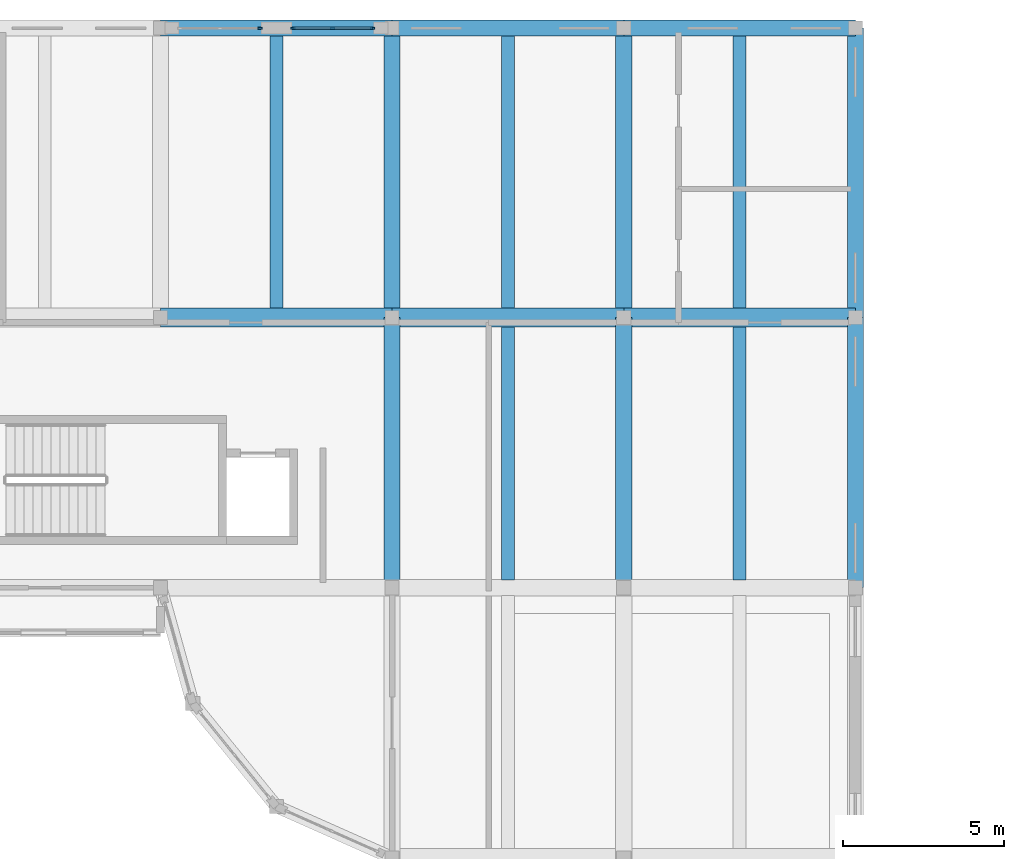
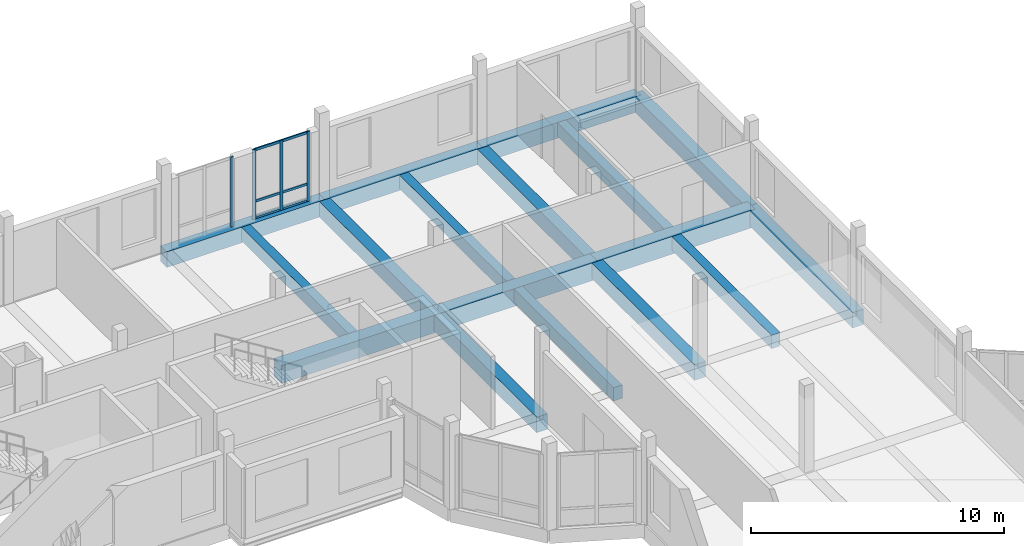
# One storey, part 40 of 99: 17 beams, 7 members, 2 elements without a shape of their own.
"""IFC4 building model written with IfcOpenShell, lengths in metres."""

from ifc_helpers import new_model, si_unit, direction, frame, origin, origin_2d, place, context, subcontext, project, spatial, rectangle, extrude, material, material_profile, profile_set, type_object, element, aggregate, save


model = new_model("IFC4")

# Units and contexts
model_context = context("Model", 3, precision=1e-05, world=origin(), true_north=direction((0.0, 1.0)))
body_context = subcontext(model_context, "Body", "Model", "MODEL_VIEW")
ifc_project = project(units=[si_unit("LENGTHUNIT", "METRE"), si_unit("AREAUNIT", "SQUARE_METRE"), si_unit("VOLUMEUNIT", "CUBIC_METRE"), si_unit("PLANEANGLEUNIT", "RADIAN"), si_unit("MASSUNIT", "GRAM", prefix="KILO")], contexts=[model_context])

# Site, building, storey
site_placement = place(None, origin())
site = spatial("IfcSite", under=ifc_project, at=site_placement, CompositionType="ELEMENT")
building_placement = place(site_placement, origin())
building = spatial("IfcBuilding", under=site, at=building_placement, Name="Kahlenmark Community Centre", CompositionType="ELEMENT")
storey_placement = place(building_placement, frame((0.0, 0.0, 5.39990234375)))
storey = spatial("IfcBuildingStorey", under=building, at=storey_placement, Name="L01", CompositionType="ELEMENT", Elevation=5.39990234375)

# Beams
ifc_material_1 = material(Name="Concrete C35/45", Category="concrete")
ifc_material_profile_1 = material_profile(ifc_material_1, rectangle(XDim=0.5, YDim=0.75, at=origin_2d()), Name="RC 500x750")
ifc_profile_set_1 = profile_set([ifc_material_profile_1], Name="Concrete C35/45")
beam_type_1 = type_object("IfcBeamType", Name="BT-BEAM-RC500x750", PredefinedType="BEAM", material=ifc_profile_set_1)
beam_1_placement = place(storey_placement, frame((72.39990234375, 97.60009765625, -0.375), z_axis=(0.0, 1.0, 0.0), x_axis=(-1.0, 0.0, 0.0)))
element("IfcBeam", 1, at=beam_1_placement, inside=storey, type_object=beam_type_1, Name="L01 beam BG-RC500x750", PredefinedType="BEAM", context=body_context, shape_type="SweptSolid", body=[
    extrude(rectangle(XDim=0.5, YDim=0.75, at=origin_2d()), origin(), (0.0, 0.0, 1.0), 8.39990234375),
])
beam_2_placement = place(storey_placement, frame((72.39990234375, 106.0, -0.375), z_axis=(0.0, 1.0, 0.0), x_axis=(-1.0, 0.0, 0.0)))
element("IfcBeam", 2, at=beam_2_placement, inside=storey, type_object=beam_type_1, Name="L01 beam BG-RC500x750", PredefinedType="BEAM", context=body_context, shape_type="SweptSolid", body=[
    extrude(rectangle(XDim=0.5, YDim=0.75, at=origin_2d()), origin(), (0.0, 0.0, 1.0), 9.0),
])
beam_3_placement = place(storey_placement, frame((79.60009765625, 97.60009765625, -0.375), z_axis=(0.0, 1.0, 0.0), x_axis=(-1.0, 0.0, 0.0)))
element("IfcBeam", 3, at=beam_3_placement, inside=storey, type_object=beam_type_1, Name="L01 beam BG-RC500x750", PredefinedType="BEAM", context=body_context, shape_type="SweptSolid", body=[
    extrude(rectangle(XDim=0.5, YDim=0.75, at=origin_2d()), origin(), (0.0, 0.0, 1.0), 8.39990234375),
])
beam_4_placement = place(storey_placement, frame((79.60009765625, 106.0, -0.375), z_axis=(0.0, 1.0, 0.0), x_axis=(-1.0, 0.0, 0.0)))
element("IfcBeam", 4, at=beam_4_placement, inside=storey, type_object=beam_type_1, Name="L01 beam BG-RC500x750", PredefinedType="BEAM", context=body_context, shape_type="SweptSolid", body=[
    extrude(rectangle(XDim=0.5, YDim=0.75, at=origin_2d()), origin(), (0.0, 0.0, 1.0), 9.0),
])
ifc_material_profile_2 = material_profile(ifc_material_1, rectangle(XDim=0.60009765625, YDim=0.85009765625, at=origin_2d()), Name="RC 600x850")
ifc_profile_set_2 = profile_set([ifc_material_profile_2], Name="Concrete C35/45")
beam_type_2 = type_object("IfcBeamType", Name="BT-BEAM-RC600x850", PredefinedType="BEAM", material=ifc_profile_set_2)
beam_5_placement = place(storey_placement, frame((65.199951171875, 106.0, -0.4248046875), z_axis=(1.0, 0.0, 0.0), x_axis=(0.0, 1.0, 0.0)))
element("IfcBeam", 5, at=beam_5_placement, inside=storey, type_object=beam_type_2, Name="L01 beam BG-RC600x850", PredefinedType="BEAM", context=body_context, shape_type="SweptSolid", body=[
    extrude(rectangle(XDim=0.60009765625, YDim=0.85009765625, at=origin_2d()), origin(), (0.0, 0.0, 1.0), 7.199951171875),
])
beam_6_placement = place(storey_placement, frame((72.39990234375, 106.0, -0.4248046875), z_axis=(1.0, 0.0, 0.0), x_axis=(0.0, 1.0, 0.0)))
element("IfcBeam", 6, at=beam_6_placement, inside=storey, type_object=beam_type_2, Name="L01 beam BG-RC600x850", PredefinedType="BEAM", context=body_context, shape_type="SweptSolid", body=[
    extrude(rectangle(XDim=0.60009765625, YDim=0.85009765625, at=origin_2d()), origin(), (0.0, 0.0, 1.0), 7.2001953125),
])
beam_7_placement = place(storey_placement, frame((79.60009765625, 106.0, -0.4248046875), z_axis=(1.0, 0.0, 0.0), x_axis=(0.0, 1.0, 0.0)))
element("IfcBeam", 7, at=beam_7_placement, inside=storey, type_object=beam_type_2, Name="L01 beam BG-RC600x850", PredefinedType="BEAM", context=body_context, shape_type="SweptSolid", body=[
    extrude(rectangle(XDim=0.60009765625, YDim=0.85009765625, at=origin_2d()), origin(), (0.0, 0.0, 1.0), 7.199951171875),
])
ifc_material_profile_3 = material_profile(ifc_material_1, rectangle(XDim=0.39990234375, YDim=0.64990234375, at=origin_2d()), Name="RC 400x650")
ifc_profile_set_3 = profile_set([ifc_material_profile_3], Name="Concrete C35/45")
beam_type_3 = type_object("IfcBeamType", Name="BT-JOIST-RC400x650", PredefinedType="JOIST", material=ifc_profile_set_3)
beam_8_placement = place(storey_placement, frame((68.800048828125, 106.298095703125, -0.324951171875), z_axis=(0.0, 1.0, 0.0), x_axis=(-1.0, 0.0, 0.0)))
element("IfcBeam", 8, at=beam_8_placement, inside=storey, type_object=beam_type_3, Name="L01 joist BJ-RC400x650", PredefinedType="JOIST", context=body_context, shape_type="SweptSolid", body=[
    extrude(rectangle(XDim=0.39990234375, YDim=0.64990234375, at=origin_2d()), origin(), (0.0, 0.0, 1.0), 8.453857421875),
])
beam_9_placement = place(storey_placement, frame((76.0, 97.847900390625, -0.324951171875), z_axis=(0.0, 1.0, 0.0), x_axis=(-1.0, 0.0, 0.0)))
element("IfcBeam", 9, at=beam_9_placement, inside=storey, type_object=beam_type_3, Name="L01 joist BJ-RC400x650", PredefinedType="JOIST", context=body_context, shape_type="SweptSolid", body=[
    extrude(rectangle(XDim=0.39990234375, YDim=0.64990234375, at=origin_2d()), origin(), (0.0, 0.0, 1.0), 7.85400390625),
])
beam_10_placement = place(storey_placement, frame((76.0, 106.298095703125, -0.324951171875), z_axis=(0.0, 1.0, 0.0), x_axis=(-1.0, 0.0, 0.0)))
element("IfcBeam", 10, at=beam_10_placement, inside=storey, type_object=beam_type_3, Name="L01 joist BJ-RC400x650", PredefinedType="JOIST", context=body_context, shape_type="SweptSolid", body=[
    extrude(rectangle(XDim=0.39990234375, YDim=0.64990234375, at=origin_2d()), origin(), (0.0, 0.0, 1.0), 8.453857421875),
])
beam_11_placement = place(storey_placement, frame((83.199951171875, 97.847900390625, -0.324951171875), z_axis=(0.0, 1.0, 0.0), x_axis=(-1.0, 0.0, 0.0)))
element("IfcBeam", 11, at=beam_11_placement, inside=storey, type_object=beam_type_3, Name="L01 joist BJ-RC400x650", PredefinedType="JOIST", context=body_context, shape_type="SweptSolid", body=[
    extrude(rectangle(XDim=0.39990234375, YDim=0.64990234375, at=origin_2d()), origin(), (0.0, 0.0, 1.0), 7.85400390625),
])
beam_12_placement = place(storey_placement, frame((83.199951171875, 106.298095703125, -0.324951171875), z_axis=(0.0, 1.0, 0.0), x_axis=(-1.0, 0.0, 0.0)))
element("IfcBeam", 12, at=beam_12_placement, inside=storey, type_object=beam_type_3, Name="L01 joist BJ-RC400x650", PredefinedType="JOIST", context=body_context, shape_type="SweptSolid", body=[
    extrude(rectangle(XDim=0.39990234375, YDim=0.64990234375, at=origin_2d()), origin(), (0.0, 0.0, 1.0), 8.453857421875),
])
ifc_material_profile_4 = material_profile(ifc_material_1, rectangle(XDim=0.5, YDim=0.75, at=origin_2d()), Name="RC 500x750")
ifc_profile_set_4 = profile_set([ifc_material_profile_4], Name="Concrete C35/45")
beam_type_4 = type_object("IfcBeamType", Name="BT-SPANDREL-RC500x750", PredefinedType="SPANDREL", material=ifc_profile_set_4)
beam_13_placement = place(storey_placement, frame((65.199951171875, 115.0, -0.375), z_axis=(1.0, 0.0, 0.0), x_axis=(0.0, 1.0, 0.0)))
element("IfcBeam", 13, at=beam_13_placement, inside=storey, type_object=beam_type_4, Name="L01 spandrel SP-RC500x750", PredefinedType="SPANDREL", context=body_context, shape_type="SweptSolid", body=[
    extrude(rectangle(XDim=0.5, YDim=0.75, at=origin_2d()), origin(), (0.0, 0.0, 1.0), 7.199951171875),
])
beam_14_placement = place(storey_placement, frame((72.39990234375, 115.0, -0.375), z_axis=(1.0, 0.0, 0.0), x_axis=(0.0, 1.0, 0.0)))
element("IfcBeam", 14, at=beam_14_placement, inside=storey, type_object=beam_type_4, Name="L01 spandrel SP-RC500x750", PredefinedType="SPANDREL", context=body_context, shape_type="SweptSolid", body=[
    extrude(rectangle(XDim=0.5, YDim=0.75, at=origin_2d()), origin(), (0.0, 0.0, 1.0), 7.2001953125),
])
beam_15_placement = place(storey_placement, frame((79.60009765625, 115.0, -0.375), z_axis=(1.0, 0.0, 0.0), x_axis=(0.0, 1.0, 0.0)))
element("IfcBeam", 15, at=beam_15_placement, inside=storey, type_object=beam_type_4, Name="L01 spandrel SP-RC500x750", PredefinedType="SPANDREL", context=body_context, shape_type="SweptSolid", body=[
    extrude(rectangle(XDim=0.5, YDim=0.75, at=origin_2d()), origin(), (0.0, 0.0, 1.0), 7.199951171875),
])
beam_16_placement = place(storey_placement, frame((86.800048828125, 97.60009765625, -0.375), z_axis=(0.0, 1.0, 0.0), x_axis=(-1.0, 0.0, 0.0)))
element("IfcBeam", 16, at=beam_16_placement, inside=storey, type_object=beam_type_4, Name="L01 spandrel SP-RC500x750", PredefinedType="SPANDREL", context=body_context, shape_type="SweptSolid", body=[
    extrude(rectangle(XDim=0.5, YDim=0.75, at=origin_2d()), origin(), (0.0, 0.0, 1.0), 8.39990234375),
])
beam_17_placement = place(storey_placement, frame((86.800048828125, 106.0, -0.375), z_axis=(0.0, 1.0, 0.0), x_axis=(-1.0, 0.0, 0.0)))
element("IfcBeam", 17, at=beam_17_placement, inside=storey, type_object=beam_type_4, Name="L01 spandrel SP-RC500x750", PredefinedType="SPANDREL", context=body_context, shape_type="SweptSolid", body=[
    extrude(rectangle(XDim=0.5, YDim=0.75, at=origin_2d()), origin(), (0.0, 0.0, 1.0), 9.0),
])

# Curtain wall, members
ifc_material_2 = material(Name="Anodised aluminium unitised curtain wall", Category="aluminium")
curtain_wall_type = type_object("IfcCurtainWallType", Name="CWT-UNIT-254X337", PredefinedType="USERDEFINED", material=ifc_material_2)
curtain_wall_1_placement = place(storey_placement, origin())
curtain_wall_1 = element("IfcCurtainWall", 18, at=curtain_wall_1_placement, inside=storey, type_object=curtain_wall_type, Name="Unitised curtain wall CW-038", ObjectType="UNITISED CURTAIN WALL", PredefinedType="USERDEFINED")
ifc_material_3 = material(Name="Anodised aluminium 6063-T6", Category="aluminium")
ifc_material_profile_5 = material_profile(ifc_material_3, rectangle(XDim=0.06005859375, YDim=0.139892578125, at=origin_2d()), Name="ALU MULLION 60x140")
ifc_profile_set_5 = profile_set([ifc_material_profile_5], Name="Anodised aluminium 6063-T6")
member_type_1 = type_object("IfcMemberType", Name="MT-MUL-140", PredefinedType="MULLION", material=ifc_profile_set_5)
member_1_placement = place(storey_placement, frame((71.7900390625, 115.0, 0.0), z_axis=(0.0, 0.0, 1.0), x_axis=(0.0, -1.0, 0.0)))
member_1 = element("IfcMember", 19, at=member_1_placement, type_object=member_type_1, Name="CW-038 mullion 1", PredefinedType="MULLION", context=body_context, shape_type="SweptSolid", body=[
    extrude(rectangle(XDim=0.06005859375, YDim=0.139892578125, at=origin_2d()), origin(), (0.0, 0.0, 1.0), 3.3701171875),
])
member_2_placement = place(storey_placement, frame((70.550048828125, 115.0, 0.0), z_axis=(0.0, 0.0, 1.0), x_axis=(0.0, -1.0, 0.0)))
member_2 = element("IfcMember", 20, at=member_2_placement, type_object=member_type_1, Name="CW-038 mullion 2", PredefinedType="MULLION", context=body_context, shape_type="SweptSolid", body=[
    extrude(rectangle(XDim=0.06005859375, YDim=0.139892578125, at=origin_2d()), origin(), (0.0, 0.0, 1.0), 3.3701171875),
])
member_3_placement = place(storey_placement, frame((69.31005859375, 115.0, 0.0), z_axis=(0.0, 0.0, 1.0), x_axis=(0.0, -1.0, 0.0)))
member_3 = element("IfcMember", 21, at=member_3_placement, type_object=member_type_1, Name="CW-038 mullion 3", PredefinedType="MULLION", context=body_context, shape_type="SweptSolid", body=[
    extrude(rectangle(XDim=0.06005859375, YDim=0.139892578125, at=origin_2d()), origin(), (0.0, 0.0, 1.0), 3.3701171875),
])

# Curtain wall, member
curtain_wall_2_placement = place(storey_placement, origin())
curtain_wall_2 = element("IfcCurtainWall", 22, at=curtain_wall_2_placement, inside=storey, type_object=curtain_wall_type, Name="Unitised curtain wall CW-039", ObjectType="UNITISED CURTAIN WALL", PredefinedType="USERDEFINED")
member_4_placement = place(storey_placement, frame((68.2900390625, 115.0, 0.0), z_axis=(0.0, 0.0, 1.0), x_axis=(0.0, -1.0, 0.0)))
member_4 = element("IfcMember", 23, at=member_4_placement, type_object=member_type_1, Name="CW-039 mullion 1", PredefinedType="MULLION", context=body_context, shape_type="SweptSolid", body=[
    extrude(rectangle(XDim=0.06005859375, YDim=0.139892578125, at=origin_2d()), origin(), (0.0, 0.0, 1.0), 3.3701171875),
])
aggregate(curtain_wall_2, [member_4])

# Member
ifc_material_profile_6 = material_profile(ifc_material_3, rectangle(XDim=0.06005859375, YDim=0.1201171875, at=origin_2d()), Name="ALU TRANSOM 60x120")
ifc_profile_set_6 = profile_set([ifc_material_profile_6], Name="Anodised aluminium 6063-T6")
member_type_2 = type_object("IfcMemberType", Name="MT-TRN-120", PredefinedType="USERDEFINED", material=ifc_profile_set_6)
member_5_placement = place(storey_placement, frame((71.7900390625, 115.0, 0.0400390625), z_axis=(-1.0, 0.0, 0.0), x_axis=(0.0, -1.0, 0.0)))
member_5 = element("IfcMember", 24, at=member_5_placement, type_object=member_type_2, Name="CW-038 transom 1", ObjectType="TRANSOM", PredefinedType="USERDEFINED", context=body_context, shape_type="SweptSolid", body=[
    extrude(rectangle(XDim=0.06005859375, YDim=0.1201171875, at=origin_2d()), origin(), (0.0, 0.0, 1.0), 2.47998046875),
])

member_6_placement = place(storey_placement, frame((71.7900390625, 115.0, 0.85009765625), z_axis=(-1.0, 0.0, 0.0), x_axis=(0.0, -1.0, 0.0)))
member_6 = element("IfcMember", 25, at=member_6_placement, type_object=member_type_2, Name="CW-038 transom 2", ObjectType="TRANSOM", PredefinedType="USERDEFINED", context=body_context, shape_type="SweptSolid", body=[
    extrude(rectangle(XDim=0.06005859375, YDim=0.1201171875, at=origin_2d()), origin(), (0.0, 0.0, 1.0), 2.47998046875),
])

member_7_placement = place(storey_placement, frame((71.7900390625, 115.0, 3.330078125), z_axis=(-1.0, 0.0, 0.0), x_axis=(0.0, -1.0, 0.0)))
member_7 = element("IfcMember", 26, at=member_7_placement, type_object=member_type_2, Name="CW-038 transom 3", ObjectType="TRANSOM", PredefinedType="USERDEFINED", context=body_context, shape_type="SweptSolid", body=[
    extrude(rectangle(XDim=0.06005859375, YDim=0.1201171875, at=origin_2d()), origin(), (0.0, 0.0, 1.0), 2.47998046875),
])

aggregate(curtain_wall_1, [member_1, member_2, member_3, member_5, member_6, member_7])

save(model, "model.ifc")
